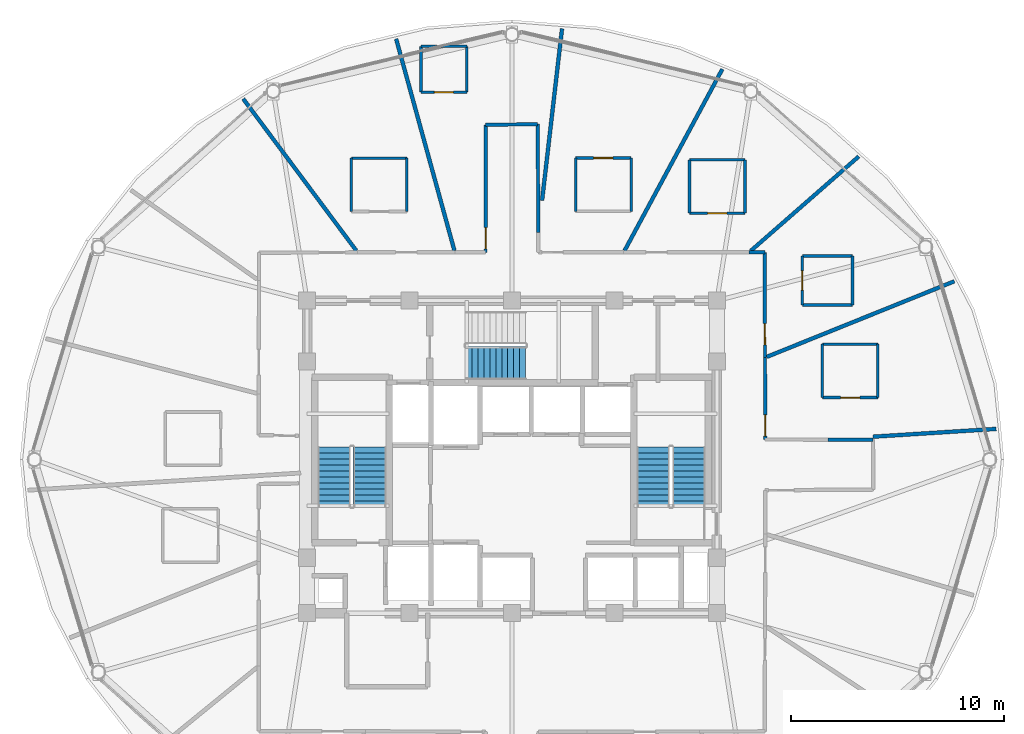
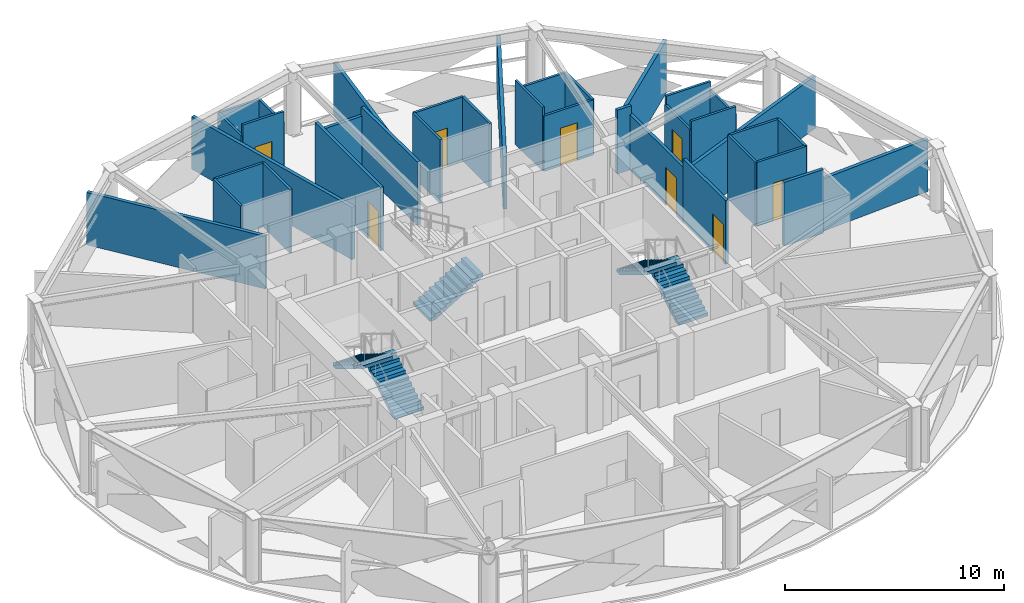
# One storey, part 25 of 30: 36 walls, 8 doors, 5 stair flights, 8 openings, 3 elements without a shape of their own.
"""IFC4 building model written with IfcOpenShell, lengths in metres."""

from ifc_helpers import new_model, si_unit, direction, frame, frame_2d, origin, place, context, subcontext, project, spatial, polyline, rectangle, outline, extrude, material, layer, layer_set, type_object, element, fill, aggregate, save


model = new_model("IFC4")

# Units and contexts
model_context = context("Model", 3, precision=1e-05, world=origin(), true_north=direction((0.0, 1.0)))
body_context = subcontext(model_context, "Body", "Model", "MODEL_VIEW")
ifc_project = project(units=[si_unit("LENGTHUNIT", "METRE"), si_unit("AREAUNIT", "SQUARE_METRE"), si_unit("VOLUMEUNIT", "CUBIC_METRE"), si_unit("PLANEANGLEUNIT", "RADIAN"), si_unit("MASSUNIT", "GRAM", prefix="KILO")], contexts=[model_context])

# Site, building, storey
site_placement = place(None, origin())
site = spatial("IfcSite", under=ifc_project, at=site_placement, CompositionType="ELEMENT")
building_placement = place(site_placement, origin())
building = spatial("IfcBuilding", under=site, at=building_placement, Name="Vantalir Tower", CompositionType="ELEMENT")
storey_placement = place(building_placement, frame((0.0, 0.0, 201.14990234375)))
storey = spatial("IfcBuildingStorey", under=building, at=storey_placement, Name="L50", CompositionType="ELEMENT", Elevation=201.14990234375)

# Wall, opening, door
ifc_material_1 = material(Name="Moisture-resistant en-suite partition", Category="gypsum")
ifc_layer_1 = layer(ifc_material_1, 0.125)
ifc_layer_set_1 = layer_set([ifc_layer_1], Name="Moisture-resistant en-suite partition")
wall_type_1 = type_object("IfcWallType", Name="WL-BATH-125", PredefinedType="PARTITIONING", material=ifc_layer_set_1)
wall_1_placement = place(storey_placement, frame((46.047119140625, 27.906005859375, 0.0), z_axis=(0.0, 0.0, 1.0), x_axis=(1.0, 0.0, 0.0)))
wall_1 = element("IfcWall", 1, at=wall_1_placement, inside=storey, type_object=wall_type_1, Name="L50 En-suite 01 South Wall", PredefinedType="PARTITIONING", context=body_context, shape_type="SweptSolid", body=[
    extrude(rectangle(XDim=2.599853515625, YDim=0.125, at=frame_2d((1.2998046875, 0.0))), origin(), (0.0, 0.0, 1.0), 3.550048828125),
])
opening_1_placement = place(wall_1_placement, frame((0.85009765625, 0.0, 0.0)))
opening_1 = element("IfcOpeningElement", 2, at=opening_1_placement, cuts=wall_1, Name="Opening D-WC", PredefinedType="OPENING", context=body_context, shape_type="SweptSolid", body=[
    extrude(rectangle(XDim=0.89990234375, YDim=2.10009765625, at=frame_2d((0.449951171875, 1.050048828125))), frame((0.0, 0.072509765625, 0.0), z_axis=(0.0, -1.0, 0.0), x_axis=(1.0, 0.0, 0.0)), (0.0, 0.0, 1.0), 0.14501953125),
])
ifc_material_2 = material(Name="Moisture-resistant hardwood door", Category="wood")
door_type_1 = type_object("IfcDoorType", Name="DR-ENSUITE-900", OperationType="NOTDEFINED", PredefinedType="DOOR", material=ifc_material_2)
door_1_placement = place(opening_1_placement, origin())
door_1 = element("IfcDoor", 3, at=door_1_placement, inside=storey, type_object=door_type_1, Name="L50 En-suite 01 Door", OperationType="SINGLE_SWING_RIGHT", OverallHeight=2.10009765625, OverallWidth=0.89990234375, PredefinedType="DOOR", context=body_context, shape_type="SweptSolid", body=[
    extrude(rectangle(XDim=0.89990234375, YDim=2.10009765625, at=frame_2d((0.449951171875, 1.050048828125))), frame((0.0, 0.02490234375, 0.0), z_axis=(0.0, -1.0, 0.0), x_axis=(1.0, 0.0, 0.0)), (0.0, 0.0, 1.0), 0.050048828125),
])
fill(opening_1, door_1)

# Walls
wall_2_placement = place(storey_placement, frame((46.047119140625, 30.406005859375, 0.0), z_axis=(0.0, 0.0, 1.0), x_axis=(1.0, 0.0, 0.0)))
element("IfcWall", 4, at=wall_2_placement, inside=storey, type_object=wall_type_1, Name="L50 En-suite 01 North Wall", PredefinedType="PARTITIONING", context=body_context, shape_type="SweptSolid", body=[
    extrude(rectangle(XDim=2.599853515625, YDim=0.125, at=frame_2d((1.2998046875, 0.0))), origin(), (0.0, 0.0, 1.0), 3.550048828125),
])
for number, where, z_axis, x_axis, name in (
    (5, (46.047119140625, 27.906005859375, 0.0), (0.0, 0.0, 1.0), (0.0, 1.0, 0.0), "L50 En-suite 01 West Wall"),
    (6, (48.64697265625, 27.906005859375, 0.0), (0.0, 0.0, 1.0), (0.0, 1.0, 0.0), "L50 En-suite 01 East Wall"),
):
    element("IfcWall", number, at=place(storey_placement, frame(where, z_axis=z_axis, x_axis=x_axis)), inside=storey, type_object=wall_type_1, Name=name, PredefinedType="PARTITIONING", context=body_context, shape_type="SweptSolid", body=[
        extrude(rectangle(XDim=2.5, YDim=0.125, at=frame_2d((1.25, 0.0))), origin(), (0.0, 0.0, 1.0), 3.550048828125),
    ])
for number, where, z_axis, x_axis, name in (
    (7, (45.10400390625, 32.242919921875, 0.0), (0.0, 0.0, 1.0), (1.0, 0.0, 0.0), "L50 En-suite 02 South Wall"),
    (8, (45.10400390625, 34.54296875, 0.0), (0.0, 0.0, 1.0), (1.0, 0.0, 0.0), "L50 En-suite 02 North Wall"),
):
    element("IfcWall", number, at=place(storey_placement, frame(where, z_axis=z_axis, x_axis=x_axis)), inside=storey, type_object=wall_type_1, Name=name, PredefinedType="PARTITIONING", context=body_context, shape_type="SweptSolid", body=[
        extrude(rectangle(XDim=2.35009765625, YDim=0.125, at=frame_2d((1.175048828125, 0.0))), origin(), (0.0, 0.0, 1.0), 3.550048828125),
    ])

# Wall, opening, door
wall_3_placement = place(storey_placement, frame((45.10400390625, 32.242919921875, 0.0), z_axis=(0.0, 0.0, 1.0), x_axis=(0.0, 1.0, 0.0)))
wall_3 = element("IfcWall", 9, at=wall_3_placement, inside=storey, type_object=wall_type_1, Name="L50 En-suite 02 West Wall", PredefinedType="PARTITIONING", context=body_context, shape_type="SweptSolid", body=[
    extrude(rectangle(XDim=2.300048828125, YDim=0.125, at=frame_2d((1.14990234375, 0.0))), origin(), (0.0, 0.0, 1.0), 3.0810546875),
])
opening_2_placement = place(wall_3_placement, frame((0.699951171875, 0.0, 0.0)))
opening_2 = element("IfcOpeningElement", 10, at=opening_2_placement, cuts=wall_3, Name="Opening D-WC", PredefinedType="OPENING", context=body_context, shape_type="SweptSolid", body=[
    extrude(rectangle(XDim=0.89990234375, YDim=2.10009765625, at=frame_2d((0.449951171875, 1.050048828125))), frame((0.0, 0.072509765625, 0.0), z_axis=(0.0, -1.0, 0.0), x_axis=(1.0, 0.0, 0.0)), (0.0, 0.0, 1.0), 0.14501953125),
])
door_2_placement = place(opening_2_placement, frame((0.89990234375, 0.0, 0.0), z_axis=(0.0, 0.0, 1.0), x_axis=(-1.0, 0.0, 0.0)))
door_2 = element("IfcDoor", 11, at=door_2_placement, inside=storey, type_object=door_type_1, Name="L50 En-suite 02 Door", OperationType="SINGLE_SWING_LEFT", OverallHeight=2.10009765625, OverallWidth=0.89990234375, PredefinedType="DOOR", context=body_context, shape_type="SweptSolid", body=[
    extrude(rectangle(XDim=0.89990234375, YDim=2.10009765625, at=frame_2d((0.449951171875, 1.050048828125))), frame((0.0, 0.02490234375, 0.0), z_axis=(0.0, -1.0, 0.0), x_axis=(1.0, 0.0, 0.0)), (0.0, 0.0, 1.0), 0.050048828125),
])
fill(opening_2, door_2)

# Wall
wall_4_placement = place(storey_placement, frame((47.4541015625, 32.242919921875, 0.0), z_axis=(0.0, 0.0, 1.0), x_axis=(0.0, 1.0, 0.0)))
element("IfcWall", 12, at=wall_4_placement, inside=storey, type_object=wall_type_1, Name="L50 En-suite 02 East Wall", PredefinedType="PARTITIONING", context=body_context, shape_type="SweptSolid", body=[
    extrude(rectangle(XDim=2.300048828125, YDim=0.125, at=frame_2d((1.14990234375, 0.0))), origin(), (0.0, 0.0, 1.0), 3.0810546875),
])

# Wall, opening, door
wall_5_placement = place(storey_placement, frame((39.821044921875, 36.5439453125, 0.0), z_axis=(0.0, 0.0, 1.0), x_axis=(1.0, 0.0, 0.0)))
wall_5 = element("IfcWall", 13, at=wall_5_placement, inside=storey, type_object=wall_type_1, Name="L50 En-suite 03 South Wall", PredefinedType="PARTITIONING", context=body_context, shape_type="SweptSolid", body=[
    extrude(rectangle(XDim=2.599853515625, YDim=0.125, at=frame_2d((1.2998046875, 0.0))), origin(), (0.0, 0.0, 1.0), 3.0810546875),
])
opening_3_placement = place(wall_5_placement, frame((0.85009765625, 0.0, 0.0)))
opening_3 = element("IfcOpeningElement", 14, at=opening_3_placement, cuts=wall_5, Name="Opening D-WC", PredefinedType="OPENING", context=body_context, shape_type="SweptSolid", body=[
    extrude(rectangle(XDim=0.89990234375, YDim=2.10009765625, at=frame_2d((0.449951171875, 1.050048828125))), frame((0.0, 0.072509765625, 0.0), z_axis=(0.0, -1.0, 0.0), x_axis=(1.0, 0.0, 0.0)), (0.0, 0.0, 1.0), 0.14501953125),
])
door_3_placement = place(opening_3_placement, origin())
door_3 = element("IfcDoor", 15, at=door_3_placement, inside=storey, type_object=door_type_1, Name="L50 En-suite 03 Door", OperationType="SINGLE_SWING_RIGHT", OverallHeight=2.10009765625, OverallWidth=0.89990234375, PredefinedType="DOOR", context=body_context, shape_type="SweptSolid", body=[
    extrude(rectangle(XDim=0.89990234375, YDim=2.10009765625, at=frame_2d((0.449951171875, 1.050048828125))), frame((0.0, 0.02490234375, 0.0), z_axis=(0.0, -1.0, 0.0), x_axis=(1.0, 0.0, 0.0)), (0.0, 0.0, 1.0), 0.050048828125),
])
fill(opening_3, door_3)

# Walls
wall_6_placement = place(storey_placement, frame((39.821044921875, 39.0439453125, 0.0), z_axis=(0.0, 0.0, 1.0), x_axis=(1.0, 0.0, 0.0)))
element("IfcWall", 16, at=wall_6_placement, inside=storey, type_object=wall_type_1, Name="L50 En-suite 03 North Wall", PredefinedType="PARTITIONING", context=body_context, shape_type="SweptSolid", body=[
    extrude(rectangle(XDim=2.599853515625, YDim=0.125, at=frame_2d((1.2998046875, 0.0))), origin(), (0.0, 0.0, 1.0), 3.0810546875),
])
wall_7_placement = place(storey_placement, frame((39.821044921875, 36.5439453125, 0.0), z_axis=(0.0, 0.0, 1.0), x_axis=(0.0, 1.0, 0.0)))
element("IfcWall", 17, at=wall_7_placement, inside=storey, type_object=wall_type_1, Name="L50 En-suite 03 West Wall", PredefinedType="PARTITIONING", context=body_context, shape_type="SweptSolid", body=[
    extrude(rectangle(XDim=2.5, YDim=0.125, at=frame_2d((1.25, 0.0))), origin(), (0.0, 0.0, 1.0), 3.550048828125),
])
wall_8_placement = place(storey_placement, frame((42.4208984375, 36.5439453125, 0.0), z_axis=(0.0, 0.0, 1.0), x_axis=(0.0, 1.0, 0.0)))
element("IfcWall", 18, at=wall_8_placement, inside=storey, type_object=wall_type_1, Name="L50 En-suite 03 East Wall", PredefinedType="PARTITIONING", context=body_context, shape_type="SweptSolid", body=[
    extrude(rectangle(XDim=2.5, YDim=0.125, at=frame_2d((1.25, 0.0))), origin(), (0.0, 0.0, 1.0), 3.0810546875),
])

# Wall, opening, door
wall_9_placement = place(storey_placement, frame((34.48095703125, 39.134033203125, 0.0), z_axis=(0.0, 0.0, 1.0), x_axis=(1.0, 0.0, 0.0)))
wall_9 = element("IfcWall", 19, at=wall_9_placement, inside=storey, type_object=wall_type_1, Name="L50 En-suite 04 North Wall", PredefinedType="PARTITIONING", context=body_context, shape_type="SweptSolid", body=[
    extrude(rectangle(XDim=2.60009765625, YDim=0.125, at=frame_2d((1.300048828125, 0.0))), origin(), (0.0, 0.0, 1.0), 3.550048828125),
])
opening_4_placement = place(wall_9_placement, frame((0.85009765625, 0.0, 0.0)))
opening_4 = element("IfcOpeningElement", 20, at=opening_4_placement, cuts=wall_9, Name="Opening D-WC", PredefinedType="OPENING", context=body_context, shape_type="SweptSolid", body=[
    extrude(rectangle(XDim=0.89990234375, YDim=2.10009765625, at=frame_2d((0.449951171875, 1.050048828125))), frame((0.0, 0.072509765625, 0.0), z_axis=(0.0, -1.0, 0.0), x_axis=(1.0, 0.0, 0.0)), (0.0, 0.0, 1.0), 0.14501953125),
])
door_4_placement = place(opening_4_placement, frame((0.89990234375, 0.0, 0.0), z_axis=(0.0, 0.0, 1.0), x_axis=(-1.0, 0.0, 0.0)))
door_4 = element("IfcDoor", 21, at=door_4_placement, inside=storey, type_object=door_type_1, Name="L50 En-suite 04 Door", OperationType="SINGLE_SWING_LEFT", OverallHeight=2.10009765625, OverallWidth=0.89990234375, PredefinedType="DOOR", context=body_context, shape_type="SweptSolid", body=[
    extrude(rectangle(XDim=0.89990234375, YDim=2.10009765625, at=frame_2d((0.449951171875, 1.050048828125))), frame((0.0, 0.02490234375, 0.0), z_axis=(0.0, -1.0, 0.0), x_axis=(1.0, 0.0, 0.0)), (0.0, 0.0, 1.0), 0.050048828125),
])
fill(opening_4, door_4)

# Walls
for number, where, z_axis, x_axis, name in (
    (22, (34.48095703125, 36.634033203125, 0.0), (0.0, 0.0, 1.0), (0.0, 1.0, 0.0), "L50 En-suite 04 West Wall"),
    (23, (37.0810546875, 36.634033203125, 0.0), (0.0, 0.0, 1.0), (0.0, 1.0, 0.0), "L50 En-suite 04 East Wall"),
):
    element("IfcWall", number, at=place(storey_placement, frame(where, z_axis=z_axis, x_axis=x_axis)), inside=storey, type_object=wall_type_1, Name=name, PredefinedType="PARTITIONING", context=body_context, shape_type="SweptSolid", body=[
        extrude(rectangle(XDim=2.5, YDim=0.125, at=frame_2d((1.25, 0.0))), origin(), (0.0, 0.0, 1.0), 3.550048828125),
    ])

# Wall, opening, door
wall_10_placement = place(storey_placement, frame((27.23291015625, 42.215087890625, 0.0), z_axis=(0.0, 0.0, 1.0), x_axis=(1.0, 0.0, 0.0)))
wall_10 = element("IfcWall", 24, at=wall_10_placement, inside=storey, type_object=wall_type_1, Name="L50 En-suite 05 South Wall", PredefinedType="PARTITIONING", context=body_context, shape_type="SweptSolid", body=[
    extrude(rectangle(XDim=2.150146484375, YDim=0.125, at=frame_2d((1.0751953125, 0.0))), origin(), (0.0, 0.0, 1.0), 3.550048828125),
])
opening_5_placement = place(wall_10_placement, frame((0.625, 0.0, 0.0)))
opening_5 = element("IfcOpeningElement", 25, at=opening_5_placement, cuts=wall_10, Name="Opening D-WC", PredefinedType="OPENING", context=body_context, shape_type="SweptSolid", body=[
    extrude(rectangle(XDim=0.89990234375, YDim=2.10009765625, at=frame_2d((0.449951171875, 1.050048828125))), frame((0.0, 0.072509765625, 0.0), z_axis=(0.0, -1.0, 0.0), x_axis=(1.0, 0.0, 0.0)), (0.0, 0.0, 1.0), 0.14501953125),
])
door_5_placement = place(opening_5_placement, origin())
door_5 = element("IfcDoor", 26, at=door_5_placement, inside=storey, type_object=door_type_1, Name="L50 En-suite 05 Door", OperationType="SINGLE_SWING_RIGHT", OverallHeight=2.10009765625, OverallWidth=0.89990234375, PredefinedType="DOOR", context=body_context, shape_type="SweptSolid", body=[
    extrude(rectangle(XDim=0.89990234375, YDim=2.10009765625, at=frame_2d((0.449951171875, 1.050048828125))), frame((0.0, 0.02490234375, 0.0), z_axis=(0.0, -1.0, 0.0), x_axis=(1.0, 0.0, 0.0)), (0.0, 0.0, 1.0), 0.050048828125),
])
fill(opening_5, door_5)

# Walls
wall_11_placement = place(storey_placement, frame((27.23291015625, 44.364990234375, 0.0), z_axis=(0.0, 0.0, 1.0), x_axis=(1.0, 0.0, 0.0)))
element("IfcWall", 27, at=wall_11_placement, inside=storey, type_object=wall_type_1, Name="L50 En-suite 05 North Wall", PredefinedType="PARTITIONING", context=body_context, shape_type="SweptSolid", body=[
    extrude(rectangle(XDim=2.150146484375, YDim=0.125, at=frame_2d((1.0751953125, 0.0))), origin(), (0.0, 0.0, 1.0), 2.925048828125),
])
for number, where, z_axis, x_axis, name in (
    (28, (27.23291015625, 42.215087890625, 0.0), (0.0, 0.0, 1.0), (0.0, 1.0, 0.0), "L50 En-suite 05 West Wall"),
    (29, (29.383056640625, 42.215087890625, 0.0), (0.0, 0.0, 1.0), (0.0, 1.0, 0.0), "L50 En-suite 05 East Wall"),
):
    element("IfcWall", number, at=place(storey_placement, frame(where, z_axis=z_axis, x_axis=x_axis)), inside=storey, type_object=wall_type_1, Name=name, PredefinedType="PARTITIONING", context=body_context, shape_type="SweptSolid", body=[
        extrude(rectangle(XDim=2.14990234375, YDim=0.125, at=frame_2d((1.074951171875, 0.0))), origin(), (0.0, 0.0, 1.0), 2.925048828125),
    ])
wall_12_placement = place(storey_placement, frame((23.970947265625, 39.1259765625, 0.0), z_axis=(0.0, 0.0, 1.0), x_axis=(1.0, 0.0, 0.0)))
element("IfcWall", 30, at=wall_12_placement, inside=storey, type_object=wall_type_1, Name="L50 En-suite 06 North Wall", PredefinedType="PARTITIONING", context=body_context, shape_type="SweptSolid", body=[
    extrude(rectangle(XDim=2.60009765625, YDim=0.125, at=frame_2d((1.300048828125, 0.0))), origin(), (0.0, 0.0, 1.0), 3.550048828125),
])
for number, where, z_axis, x_axis, name in (
    (31, (23.970947265625, 36.6259765625, 0.0), (0.0, 0.0, 1.0), (0.0, 1.0, 0.0), "L50 En-suite 06 West Wall"),
    (32, (26.571044921875, 36.6259765625, 0.0), (0.0, 0.0, 1.0), (0.0, 1.0, 0.0), "L50 En-suite 06 East Wall"),
):
    element("IfcWall", number, at=place(storey_placement, frame(where, z_axis=z_axis, x_axis=x_axis)), inside=storey, type_object=wall_type_1, Name=name, PredefinedType="PARTITIONING", context=body_context, shape_type="SweptSolid", body=[
        extrude(rectangle(XDim=2.5, YDim=0.125, at=frame_2d((1.25, 0.0))), origin(), (0.0, 0.0, 1.0), 3.550048828125),
    ])

# Wall, opening, door
ifc_material_3 = material(Name="Fire-rated hotel corridor acoustic partition", Category="gypsum")
ifc_layer_2 = layer(ifc_material_3, 0.159912109375)
ifc_layer_set_2 = layer_set([ifc_layer_2], Name="Fire-rated hotel corridor acoustic partition")
wall_type_2 = type_object("IfcWallType", Name="WL-CORR-160", PredefinedType="PARTITIONING", material=ifc_layer_set_2)
wall_13_placement = place(storey_placement, frame((30.260009765625, 34.715087890625, 0.0), z_axis=(0.0, 0.0, 1.0), x_axis=(0.00049033623, 0.999999879785, 0.0)))
wall_13 = element("IfcWall", 33, at=wall_13_placement, inside=storey, type_object=wall_type_2, Name="L50 Corridor Partition 08", PredefinedType="PARTITIONING", context=body_context, shape_type="SweptSolid", body=[
    extrude(rectangle(XDim=5.974853515625, YDim=0.159912109375, at=frame_2d((2.9873046875, 0.0))), origin(), (0.0, 0.0, 1.0), 3.550048828125),
])
opening_6_placement = place(wall_13_placement, frame((0.159912109375, 0.0, 0.0)))
opening_6 = element("IfcOpeningElement", 34, at=opening_6_placement, cuts=wall_13, Name="Opening D-GUEST", PredefinedType="OPENING", context=body_context, shape_type="SweptSolid", body=[
    extrude(rectangle(XDim=1.0, YDim=2.10009765625, at=frame_2d((0.5, 1.050048828125))), frame((0.0, 0.08984375, 0.0), z_axis=(0.0, -1.0, 0.0), x_axis=(1.0, 0.0, 0.0)), (0.0, 0.0, 1.0), 0.179931640625),
])
ifc_material_4 = material(Name="Solid-core teak veneer acoustic fire door", Category="wood")
door_type_2 = type_object("IfcDoorType", Name="DR-GUEST-ENTRY-1000", OperationType="NOTDEFINED", PredefinedType="DOOR", material=ifc_material_4)
door_6_placement = place(opening_6_placement, origin())
door_6 = element("IfcDoor", 35, at=door_6_placement, inside=storey, type_object=door_type_2, Name="L50 Twin Queen Hotel Room 05 Door", OperationType="SINGLE_SWING_RIGHT", OverallHeight=2.10009765625, OverallWidth=1.0, PredefinedType="DOOR", context=body_context, shape_type="SweptSolid", body=[
    extrude(rectangle(XDim=1.0, YDim=2.10009765625, at=frame_2d((0.5, 1.050048828125))), frame((0.0, 0.02490234375, 0.0), z_axis=(0.0, -1.0, 0.0), x_axis=(1.0, 0.0, 0.0)), (0.0, 0.0, 1.0), 0.050048828125),
])
fill(opening_6, door_6)

# Walls
wall_14_placement = place(storey_placement, frame((30.262939453125, 40.68994140625, 0.0), z_axis=(0.0, 0.0, 1.0), x_axis=(0.999946948611, 0.010300483619, 0.0)))
element("IfcWall", 36, at=wall_14_placement, inside=storey, type_object=wall_type_2, Name="L50 Corridor Partition 09", PredefinedType="PARTITIONING", context=body_context, shape_type="SweptSolid", body=[
    extrude(rectangle(XDim=2.44140625, YDim=0.159912109375, at=frame_2d((1.220703125, 0.0))), origin(), (0.0, 0.0, 1.0), 3.0810546875),
])
wall_15_placement = place(storey_placement, frame((32.7041015625, 40.715087890625, 0.0), z_axis=(0.0, 0.0, 1.0), x_axis=(0.005858524122, -0.9999828387, 0.0)))
element("IfcWall", 37, at=wall_15_placement, inside=storey, type_object=wall_type_2, Name="L50 Corridor Partition 10", PredefinedType="PARTITIONING", context=body_context, shape_type="SweptSolid", body=[
    extrude(rectangle(XDim=5.083984375, YDim=0.159912109375, at=frame_2d((2.5419921875, 0.0))), origin(), (0.0, 0.0, 1.0), 3.550048828125),
])
wall_16_placement = place(storey_placement, frame((42.60595703125, 34.708984375, 0.0), z_axis=(0.0, 0.0, 1.0), x_axis=(0.999999131496, -0.001317956022, 0.0)))
element("IfcWall", 38, at=wall_16_placement, inside=storey, type_object=wall_type_2, Name="L50 Corridor Partition 14", PredefinedType="PARTITIONING", context=body_context, shape_type="SweptSolid", body=[
    extrude(rectangle(XDim=0.740966796875, YDim=0.159912109375, at=frame_2d((0.37060546875, 0.0))), origin(), (0.0, 0.0, 1.0), 3.550048828125),
])

# Wall, opening, door
wall_17_placement = place(storey_placement, frame((43.346923828125, 34.7080078125, 0.0), z_axis=(0.0, 0.0, 1.0), x_axis=(0.002030804669, -0.999997937914, 0.0)))
wall_17 = element("IfcWall", 39, at=wall_17_placement, inside=storey, type_object=wall_type_2, Name="L50 Corridor Partition 15", PredefinedType="PARTITIONING", context=body_context, shape_type="SweptSolid", body=[
    extrude(rectangle(XDim=4.928955078125, YDim=0.159912109375, at=frame_2d((2.46435546875, 0.0))), origin(), (0.0, 0.0, 1.0), 3.0810546875),
])
opening_7_placement = place(wall_17_placement, frame((3.3359375, 0.0, 0.0)))
opening_7 = element("IfcOpeningElement", 40, at=opening_7_placement, cuts=wall_17, Name="Opening D-GUEST", PredefinedType="OPENING", context=body_context, shape_type="SweptSolid", body=[
    extrude(rectangle(XDim=1.0, YDim=2.10009765625, at=frame_2d((0.5, 1.050048828125))), frame((0.0, 0.08984375, 0.0), z_axis=(0.0, -1.0, 0.0), x_axis=(1.0, 0.0, 0.0)), (0.0, 0.0, 1.0), 0.179931640625),
])
door_7_placement = place(opening_7_placement, origin())
door_7 = element("IfcDoor", 41, at=door_7_placement, inside=storey, type_object=door_type_2, Name="L50 Deluxe King Hotel Room 02 Door", OperationType="SINGLE_SWING_LEFT", OverallHeight=2.10009765625, OverallWidth=1.0, PredefinedType="DOOR", context=body_context, shape_type="SweptSolid", body=[
    extrude(rectangle(XDim=1.0, YDim=2.10009765625, at=frame_2d((0.5, 1.050048828125))), frame((0.0, 0.02490234375, 0.0), z_axis=(0.0, -1.0, 0.0), x_axis=(1.0, 0.0, 0.0)), (0.0, 0.0, 1.0), 0.050048828125),
])
fill(opening_7, door_7)

wall_18_placement = place(storey_placement, frame((43.35693359375, 29.779052734375, 0.0), z_axis=(0.0, 0.0, 1.0), x_axis=(0.002098564536, -0.999997798011, 0.0)))
wall_18 = element("IfcWall", 42, at=wall_18_placement, inside=storey, type_object=wall_type_2, Name="L50 Corridor Partition 16", PredefinedType="PARTITIONING", context=body_context, shape_type="SweptSolid", body=[
    extrude(rectangle(XDim=3.839111328125, YDim=0.159912109375, at=frame_2d((1.91943359375, 0.0))), origin(), (0.0, 0.0, 1.0), 3.550048828125),
])
opening_8_placement = place(wall_18_placement, frame((2.678955078125, 0.0, 0.0)))
opening_8 = element("IfcOpeningElement", 43, at=opening_8_placement, cuts=wall_18, Name="Opening D-GUEST", PredefinedType="OPENING", context=body_context, shape_type="SweptSolid", body=[
    extrude(rectangle(XDim=1.0, YDim=2.10009765625, at=frame_2d((0.5, 1.050048828125))), frame((0.0, 0.08984375, 0.0), z_axis=(0.0, -1.0, 0.0), x_axis=(1.0, 0.0, 0.0)), (0.0, 0.0, 1.0), 0.179931640625),
])
door_8_placement = place(opening_8_placement, origin())
door_8 = element("IfcDoor", 44, at=door_8_placement, inside=storey, type_object=door_type_2, Name="L50 Twin Queen Hotel Room 01 Door", OperationType="SINGLE_SWING_RIGHT", OverallHeight=2.10009765625, OverallWidth=1.0, PredefinedType="DOOR", context=body_context, shape_type="SweptSolid", body=[
    extrude(rectangle(XDim=1.0, YDim=2.10009765625, at=frame_2d((0.5, 1.050048828125))), frame((0.0, 0.02490234375, 0.0), z_axis=(0.0, -1.0, 0.0), x_axis=(1.0, 0.0, 0.0)), (0.0, 0.0, 1.0), 0.050048828125),
])
fill(opening_8, door_8)

# Walls
wall_19_placement = place(storey_placement, frame((46.31689453125, 25.93798828125, 0.0), z_axis=(0.0, 0.0, 1.0), x_axis=(0.999999891682, -0.000465440955, 0.0)))
element("IfcWall", 45, at=wall_19_placement, inside=storey, type_object=wall_type_2, Name="L50 Corridor Partition 18", PredefinedType="PARTITIONING", context=body_context, shape_type="SweptSolid", body=[
    extrude(rectangle(XDim=2.09814453125, YDim=0.159912109375, at=frame_2d((1.049072265625, 0.0))), origin(), (0.0, 0.0, 1.0), 3.550048828125),
])
ifc_material_5 = material(Name="Twin-stud acoustic fire-rated gypsum partition", Category="gypsum")
ifc_layer_3 = layer(ifc_material_5, 0.179931640625)
ifc_layer_set_3 = layer_set([ifc_layer_3], Name="Twin-stud acoustic fire-rated gypsum partition")
wall_type_3 = type_object("IfcWallType", Name="WL-GUEST-180", PredefinedType="PARTITIONING", material=ifc_layer_set_3)
wall_20_placement = place(storey_placement, frame((48.4150390625, 26.071044921875, 0.0), z_axis=(0.0, 0.0, 1.0), x_axis=(0.997998701079, 0.06323442611, 0.0)))
element("IfcWall", 46, at=wall_20_placement, inside=storey, type_object=wall_type_3, Name="L50 Radial Suite Partition 01", PredefinedType="PARTITIONING", context=body_context, shape_type="SweptSolid", body=[
    extrude(rectangle(XDim=5.787353515625, YDim=0.179931640625, at=frame_2d((2.8935546875, 0.0))), origin(), (0.0, 0.0, 1.0), 2.925048828125),
])
wall_21_placement = place(storey_placement, frame((43.43994140625, 29.81201171875, 0.0), z_axis=(0.0, 0.0, 1.0), x_axis=(0.927492765912, 0.373841101514, 0.0)))
element("IfcWall", 47, at=wall_21_placement, inside=storey, type_object=wall_type_3, Name="L50 Radial Suite Partition 02", PredefinedType="PARTITIONING", context=body_context, shape_type="SweptSolid", body=[
    extrude(rectangle(XDim=9.477294921875, YDim=0.179931640625, at=frame_2d((4.73876953125, 0.0))), origin(), (0.0, 0.0, 1.0), 2.925048828125),
])
wall_22_placement = place(storey_placement, frame((42.698974609375, 34.7900390625, 0.0), z_axis=(0.0, 0.0, 1.0), x_axis=(0.752863020058, 0.658177235271, 0.0)))
element("IfcWall", 48, at=wall_22_placement, inside=storey, type_object=wall_type_3, Name="L50 Radial Suite Partition 03", PredefinedType="PARTITIONING", context=body_context, shape_type="SweptSolid", body=[
    extrude(rectangle(XDim=6.70654296875, YDim=0.179931640625, at=frame_2d((3.353271484375, 0.0))), origin(), (0.0, 0.0, 1.0), 2.925048828125),
])
wall_23_placement = place(storey_placement, frame((36.77490234375, 34.7900390625, 0.0), z_axis=(0.0, 0.0, 1.0), x_axis=(0.474262596064, 0.880383433496, 0.0)))
element("IfcWall", 49, at=wall_23_placement, inside=storey, type_object=wall_type_3, Name="L50 Radial Suite Partition 04", PredefinedType="PARTITIONING", context=body_context, shape_type="SweptSolid", body=[
    extrude(rectangle(XDim=9.659423828125, YDim=0.179931640625, at=frame_2d((4.82958984375, 0.0))), origin(), (0.0, 0.0, 1.0), 2.925048828125),
])
wall_24_placement = place(storey_placement, frame((32.909912109375, 37.14306640625, 0.0), z_axis=(0.0, 0.0, 1.0), x_axis=(0.115397155706, 0.993319433241, 0.0)))
element("IfcWall", 50, at=wall_24_placement, inside=storey, type_object=wall_type_3, Name="L50 Radial Suite Partition 05", PredefinedType="PARTITIONING", context=body_context, shape_type="SweptSolid", body=[
    extrude(rectangle(XDim=8.10302734375, YDim=0.179931640625, at=frame_2d((4.051513671875, 0.0))), origin(), (0.0, 0.0, 1.0), 2.925048828125),
])
wall_25_placement = place(storey_placement, frame((28.802978515625, 34.7900390625, 0.0), z_axis=(0.0, 0.0, 1.0), x_axis=(-0.26547451645, 0.964117877189, 0.0)))
element("IfcWall", 51, at=wall_25_placement, inside=storey, type_object=wall_type_3, Name="L50 Radial Suite Partition 06", PredefinedType="PARTITIONING", context=body_context, shape_type="SweptSolid", body=[
    extrude(rectangle(XDim=10.29443359375, YDim=0.179931640625, at=frame_2d((5.147216796875, 0.0))), origin(), (0.0, 0.0, 1.0), 2.925048828125),
])
wall_26_placement = place(storey_placement, frame((24.2060546875, 34.7900390625, 0.0), z_axis=(0.0, 0.0, 1.0), x_axis=(-0.597492767544, 0.801874299833, 0.0)))
element("IfcWall", 52, at=wall_26_placement, inside=storey, type_object=wall_type_3, Name="L50 Radial Suite Partition 07", PredefinedType="PARTITIONING", context=body_context, shape_type="SweptSolid", body=[
    extrude(rectangle(XDim=8.87548828125, YDim=0.179931640625, at=frame_2d((4.437744140625, 0.0))), origin(), (0.0, 0.0, 1.0), 2.925048828125),
])

# Stair, stair flights
ifc_material_6 = material(Name="Concrete C40/50", Category="concrete")
stair_type = type_object("IfcStairType", Name="STR-CORE-1450", PredefinedType="HALF_TURN_STAIR", material=ifc_material_6)
stair_1_placement = place(storey_placement, origin())
stair_1 = element("IfcStair", 53, at=stair_1_placement, inside=storey, type_object=stair_type, Name="L50 Core Exit Stair 1", PredefinedType="HALF_TURN_STAIR")
stair_flight_type = type_object("IfcStairFlightType", Name="FLT-CORE-1450", PredefinedType="STRAIGHT", material=ifc_material_6)
stair_flight_1_placement = place(storey_placement, frame((24.830078125, 22.7900390625, 0.0), z_axis=(0.0, 0.0, 1.0), x_axis=(0.0, 1.0, 0.0)))
stair_flight_1 = element("IfcStairFlight", 54, at=stair_flight_1_placement, type_object=stair_flight_type, Name="ST1 flight 1", NumberOfRisers=11, NumberOfTreads=10, PredefinedType="STRAIGHT", RiserHeight=0.170454545, TreadLength=0.28, context=body_context, shape_type="SweptSolid", body=[
    extrude(outline(polyline([(0.0, 0.0), (0.0, 0.17041015625), (0.280029296875, 0.17041015625), (0.280029296875, 0.3408203125), (0.56005859375, 0.3408203125), (0.56005859375, 0.511474609375), (0.840087890625, 0.511474609375), (0.840087890625, 0.681884765625), (1.1201171875, 0.681884765625), (1.1201171875, 0.852294921875), (1.39990234375, 0.852294921875), (1.39990234375, 1.022705078125), (1.679931640625, 1.022705078125), (1.679931640625, 1.193115234375), (1.9599609375, 1.193115234375), (1.9599609375, 1.363525390625), (2.239990234375, 1.363525390625), (2.239990234375, 1.5341796875), (2.52001953125, 1.5341796875), (2.52001953125, 1.70458984375), (2.800048828125, 1.70458984375), (2.800048828125, 1.875), (2.800048828125, 1.529052734375), (0.288330078125, 0.0), (0.0, 0.0)])), frame((0.0, 0.77001953125, 0.0), z_axis=(0.0, -1.0, 0.0), x_axis=(1.0, 0.0, 0.0)), (0.0, 0.0, 1.0), 1.5400390625),
])
stair_flight_2_placement = place(storey_placement, frame((23.169921875, 25.590087890625, 1.875), z_axis=(0.0, 0.0, 1.0), x_axis=(0.0, -1.0, 0.0)))
stair_flight_2 = element("IfcStairFlight", 55, at=stair_flight_2_placement, type_object=stair_flight_type, Name="ST1 flight 2", NumberOfRisers=11, NumberOfTreads=10, PredefinedType="STRAIGHT", RiserHeight=0.170454545, TreadLength=0.28, context=body_context, shape_type="SweptSolid", body=[
    extrude(outline(polyline([(0.0, 0.0), (0.0, 0.17041015625), (0.280029296875, 0.17041015625), (0.280029296875, 0.3408203125), (0.56005859375, 0.3408203125), (0.56005859375, 0.511474609375), (0.840087890625, 0.511474609375), (0.840087890625, 0.681884765625), (1.1201171875, 0.681884765625), (1.1201171875, 0.852294921875), (1.39990234375, 0.852294921875), (1.39990234375, 1.022705078125), (1.679931640625, 1.022705078125), (1.679931640625, 1.193115234375), (1.9599609375, 1.193115234375), (1.9599609375, 1.363525390625), (2.239990234375, 1.363525390625), (2.239990234375, 1.5341796875), (2.52001953125, 1.5341796875), (2.52001953125, 1.70458984375), (2.800048828125, 1.70458984375), (2.800048828125, 1.875), (2.800048828125, 1.529052734375), (0.288330078125, 0.0), (0.0, 0.0)])), frame((0.0, 0.77001953125, 0.0), z_axis=(0.0, -1.0, 0.0), x_axis=(1.0, 0.0, 0.0)), (0.0, 0.0, 1.0), 1.5400390625),
])
aggregate(stair_1, [stair_flight_1, stair_flight_2])

stair_2_placement = place(storey_placement, origin())
stair_2 = element("IfcStair", 56, at=stair_2_placement, inside=storey, type_object=stair_type, Name="L50 Core Exit Stair 2", PredefinedType="HALF_TURN_STAIR")
stair_flight_3_placement = place(storey_placement, frame((39.780029296875, 22.7900390625, 0.0), z_axis=(0.0, 0.0, 1.0), x_axis=(0.0, 1.0, 0.0)))
stair_flight_3 = element("IfcStairFlight", 57, at=stair_flight_3_placement, type_object=stair_flight_type, Name="ST2 flight 1", NumberOfRisers=11, NumberOfTreads=10, PredefinedType="STRAIGHT", RiserHeight=0.170454545, TreadLength=0.28, context=body_context, shape_type="SweptSolid", body=[
    extrude(outline(polyline([(0.0, 0.0), (0.0, 0.17041015625), (0.280029296875, 0.17041015625), (0.280029296875, 0.3408203125), (0.56005859375, 0.3408203125), (0.56005859375, 0.511474609375), (0.840087890625, 0.511474609375), (0.840087890625, 0.681884765625), (1.1201171875, 0.681884765625), (1.1201171875, 0.852294921875), (1.39990234375, 0.852294921875), (1.39990234375, 1.022705078125), (1.679931640625, 1.022705078125), (1.679931640625, 1.193115234375), (1.9599609375, 1.193115234375), (1.9599609375, 1.363525390625), (2.239990234375, 1.363525390625), (2.239990234375, 1.5341796875), (2.52001953125, 1.5341796875), (2.52001953125, 1.70458984375), (2.800048828125, 1.70458984375), (2.800048828125, 1.875), (2.800048828125, 1.529052734375), (0.288330078125, 0.0), (0.0, 0.0)])), frame((0.0, 0.77001953125, 0.0), z_axis=(0.0, -1.0, 0.0), x_axis=(1.0, 0.0, 0.0)), (0.0, 0.0, 1.0), 1.5400390625),
])
stair_flight_4_placement = place(storey_placement, frame((38.1201171875, 25.590087890625, 1.875), z_axis=(0.0, 0.0, 1.0), x_axis=(0.0, -1.0, 0.0)))
stair_flight_4 = element("IfcStairFlight", 58, at=stair_flight_4_placement, type_object=stair_flight_type, Name="ST2 flight 2", NumberOfRisers=11, NumberOfTreads=10, PredefinedType="STRAIGHT", RiserHeight=0.170454545, TreadLength=0.28, context=body_context, shape_type="SweptSolid", body=[
    extrude(outline(polyline([(0.0, 0.0), (0.0, 0.17041015625), (0.280029296875, 0.17041015625), (0.280029296875, 0.3408203125), (0.56005859375, 0.3408203125), (0.56005859375, 0.511474609375), (0.840087890625, 0.511474609375), (0.840087890625, 0.681884765625), (1.1201171875, 0.681884765625), (1.1201171875, 0.852294921875), (1.39990234375, 0.852294921875), (1.39990234375, 1.022705078125), (1.679931640625, 1.022705078125), (1.679931640625, 1.193115234375), (1.9599609375, 1.193115234375), (1.9599609375, 1.363525390625), (2.239990234375, 1.363525390625), (2.239990234375, 1.5341796875), (2.52001953125, 1.5341796875), (2.52001953125, 1.70458984375), (2.800048828125, 1.70458984375), (2.800048828125, 1.875), (2.800048828125, 1.529052734375), (0.288330078125, 0.0), (0.0, 0.0)])), frame((0.0, 0.77001953125, 0.0), z_axis=(0.0, -1.0, 0.0), x_axis=(1.0, 0.0, 0.0)), (0.0, 0.0, 1.0), 1.5400390625),
])
aggregate(stair_2, [stair_flight_3, stair_flight_4])

# Stair, stair flight
stair_3_placement = place(storey_placement, origin())
stair_3 = element("IfcStair", 59, at=stair_3_placement, inside=storey, type_object=stair_type, Name="L50 Core Exit Stair 3", PredefinedType="HALF_TURN_STAIR")
stair_flight_5_placement = place(storey_placement, frame((29.340087890625, 29.52001953125, 0.0), z_axis=(0.0, 0.0, 1.0), x_axis=(1.0, 0.0, 0.0)))
stair_flight_5 = element("IfcStairFlight", 60, at=stair_flight_5_placement, type_object=stair_flight_type, Name="ST3 flight 1", NumberOfRisers=11, NumberOfTreads=10, PredefinedType="STRAIGHT", RiserHeight=0.170454545, TreadLength=0.28, context=body_context, shape_type="SweptSolid", body=[
    extrude(outline(polyline([(0.0, 0.0), (0.0, 0.17041015625), (0.280029296875, 0.17041015625), (0.280029296875, 0.3408203125), (0.56005859375, 0.3408203125), (0.56005859375, 0.511474609375), (0.840087890625, 0.511474609375), (0.840087890625, 0.681884765625), (1.1201171875, 0.681884765625), (1.1201171875, 0.852294921875), (1.39990234375, 0.852294921875), (1.39990234375, 1.022705078125), (1.679931640625, 1.022705078125), (1.679931640625, 1.193115234375), (1.9599609375, 1.193115234375), (1.9599609375, 1.363525390625), (2.239990234375, 1.363525390625), (2.239990234375, 1.5341796875), (2.52001953125, 1.5341796875), (2.52001953125, 1.70458984375), (2.800048828125, 1.70458984375), (2.800048828125, 1.875), (2.800048828125, 1.529052734375), (0.288330078125, 0.0), (0.0, 0.0)])), frame((0.0, 0.77001953125, 0.0), z_axis=(0.0, -1.0, 0.0), x_axis=(1.0, 0.0, 0.0)), (0.0, 0.0, 1.0), 1.5400390625),
])
aggregate(stair_3, [stair_flight_5])

save(model, "model.ifc")
